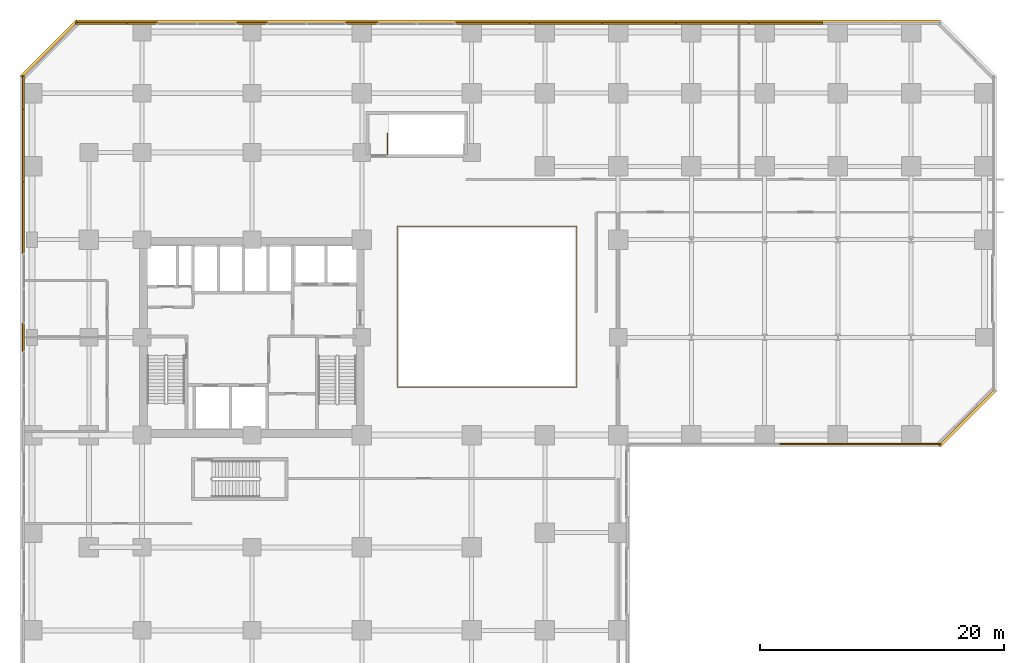
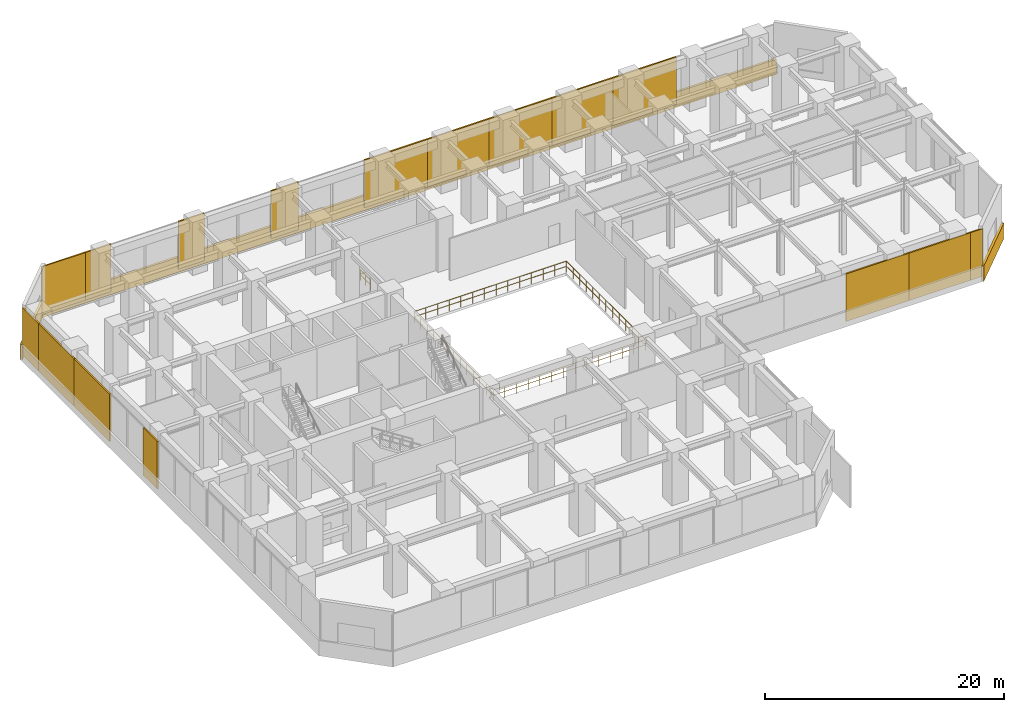
# One storey, part 32 of 33: 19 coverings, 2 railings.
"""IFC4 building model written with IfcOpenShell, lengths in metres."""

import ifcopenshell
import ifcopenshell.guid

model = None  # the IFC model being written
_history = None  # IfcOwnerHistory: only IFC2X3 demands one
_inside = {}  # id of a spatial element -> (the spatial element, [elements in it])
_under = {}  # id of a project, library or spatial element -> (it, [spatial elements below it])
_declared = {}  # id of a project -> (the project, [libraries it declares])
_typed = {}  # id of a type object -> (the type object, [elements of that type])
_made_of = {}  # id of a material, layer set ... -> (it, [elements and type objects made of it])


def new_model(schema):
    """Start an empty IFC model of exactly this schema.

    Asked for "IFC4X3", IfcOpenShell would pick the latest addendum, in which some entities
    have other attributes; the version numbers below select the first issue.
    IFC2X3 requires an IfcOwnerHistory on every rooted entity: one is made here for all.
    """
    global model, _history
    if schema == "IFC4X3":
        model = ifcopenshell.file(schema_version=(4, 3, 0, 0))
    else:
        model = ifcopenshell.file(schema=schema)
    _inside.clear()
    _under.clear()
    _declared.clear()
    _typed.clear()
    _made_of.clear()
    _history = None
    if model.schema == "IFC2X3":
        org = make("IfcOrganization", Name="unknown")
        user = make(
            "IfcPersonAndOrganization",
            ThePerson=make("IfcPerson", FamilyName="unknown"),
            TheOrganization=org,
        )
        app = make(
            "IfcApplication",
            ApplicationDeveloper=org,
            Version="unknown",
            ApplicationFullName="unknown",
            ApplicationIdentifier="unknown",
        )
        _history = make(
            "IfcOwnerHistory",
            OwningUser=user,
            OwningApplication=app,
            ChangeAction="ADDED",
            CreationDate=0,
        )
    return model


def make(cls, **values):
    """One entity of the class cls with the attributes given. An attribute that is None is left unset."""
    return model.create_entity(
        cls, **{name: value for name, value in values.items() if value is not None}
    )


def rooted(cls, **values):
    """An entity with a GlobalId (a new one), such as an element, a storey or a relation."""
    return make(cls, GlobalId=ifcopenshell.guid.new(), OwnerHistory=_history, **values)


def si_unit(unit_type, name, prefix=None):
    """IfcSIUnit, for example si_unit("LENGTHUNIT", "METRE", prefix="MILLI")."""
    return make("IfcSIUnit", UnitType=unit_type, Prefix=prefix, Name=name)


def assignment(units):
    """IfcUnitAssignment: the units of a project."""
    return None if units is None else make("IfcUnitAssignment", Units=units)


def point(xyz):
    """IfcCartesianPoint."""
    return None if xyz is None else make("IfcCartesianPoint", Coordinates=xyz)


def direction(xyz):
    """IfcDirection."""
    return None if xyz is None else make("IfcDirection", DirectionRatios=xyz)


def frame(location, z_axis=None, x_axis=None):
    """IfcAxis2Placement3D, a coordinate frame: its origin and axes. An axis left out is left unset."""
    return make(
        "IfcAxis2Placement3D",
        Location=point(location),
        Axis=direction(z_axis),
        RefDirection=direction(x_axis),
    )


def frame_2d(location, x_axis=None):
    """IfcAxis2Placement2D, a coordinate frame in the plane: its origin and x axis."""
    return make(
        "IfcAxis2Placement2D", Location=point(location), RefDirection=direction(x_axis)
    )


def origin():
    """The frame at (0, 0, 0) with its axes left unset."""
    return frame((0.0, 0.0, 0.0))


def origin_2d():
    """The frame at (0, 0) in the plane with its x axis left unset."""
    return frame_2d((0.0, 0.0))


def place(relative_to, where):
    """IfcLocalPlacement: puts the frame where relative to a parent placement (None: the world)."""
    return make(
        "IfcLocalPlacement", PlacementRelTo=relative_to, RelativePlacement=where
    )


def context(
    kind, dimensions, precision=None, world=None, true_north=None, identifier=None
):
    """IfcGeometricRepresentationContext, for example the 3D "Model" context."""
    return make(
        "IfcGeometricRepresentationContext",
        ContextIdentifier=identifier,
        ContextType=kind,
        CoordinateSpaceDimension=dimensions,
        Precision=precision,
        WorldCoordinateSystem=world,
        TrueNorth=true_north,
    )


def subcontext(parent, identifier, kind, view, scale=None):
    """IfcGeometricRepresentationSubContext, for example "Body" below "Model"."""
    return make(
        "IfcGeometricRepresentationSubContext",
        ContextIdentifier=identifier,
        ContextType=kind,
        ParentContext=parent,
        TargetScale=scale,
        TargetView=view,
    )


def project(units=None, contexts=None):
    """IfcProject with its units and contexts."""
    return rooted(
        "IfcProject",
        Name="project",
        RepresentationContexts=contexts,
        UnitsInContext=assignment(units),
    )


def spatial(cls, under=None, at=None, **own):
    """A site, building, storey or space (cls), placed at a placement, below another one or the project."""
    s = rooted(cls, ObjectPlacement=at, **own)
    if under is not None:
        _under.setdefault(under.id(), (under, []))[1].append(s)
    return s


def profile(cls, at=None, kind="AREA", **sizes):
    """A parametric profile (cls). Its sizes go by their IFC names, for example OverallWidth=200.0."""
    return make(cls, ProfileType=kind, Position=at, **sizes)


def rectangle(**sizes):
    """IfcRectangleProfileDef."""
    return profile("IfcRectangleProfileDef", **sizes)


def circle(**sizes):
    """IfcCircleProfileDef."""
    return profile("IfcCircleProfileDef", **sizes)


def extrude(swept, where, along, depth):
    """IfcExtrudedAreaSolid: the profile swept, set in the frame where, extruded along a direction by depth."""
    return make(
        "IfcExtrudedAreaSolid",
        SweptArea=swept,
        Position=where,
        ExtrudedDirection=direction(along),
        Depth=depth,
    )


def shape(context_of_items, identifier, shape_type, items):
    """IfcShapeRepresentation: the items that make up one representation, for example the "Body"."""
    return make(
        "IfcShapeRepresentation",
        ContextOfItems=context_of_items,
        RepresentationIdentifier=identifier,
        RepresentationType=shape_type,
        Items=items,
    )


def source(mapping_origin, context_of_items, identifier, shape_type, items):
    """IfcRepresentationMap: a shape defined once, which mapped items show again and again."""
    return make(
        "IfcRepresentationMap",
        MappingOrigin=mapping_origin,
        MappedRepresentation=shape(context_of_items, identifier, shape_type, items),
    )


def transform(
    local_origin,
    x_axis=None,
    y_axis=None,
    z_axis=None,
    scale=None,
    scale2=None,
    scale3=None,
    uniform=True,
):
    """IfcCartesianTransformationOperator3D, or its non-uniform kind. x_axis, y_axis, z_axis: its Axis1, 2, 3."""
    if uniform:
        return make(
            "IfcCartesianTransformationOperator3D",
            Axis1=direction(x_axis),
            Axis2=direction(y_axis),
            LocalOrigin=point(local_origin),
            Scale=scale,
            Axis3=direction(z_axis),
        )
    return make(
        "IfcCartesianTransformationOperator3DnonUniform",
        Axis1=direction(x_axis),
        Axis2=direction(y_axis),
        LocalOrigin=point(local_origin),
        Scale=scale,
        Axis3=direction(z_axis),
        Scale2=scale2,
        Scale3=scale3,
    )


def mapped(mapping_source, mapping_target):
    """IfcMappedItem: shows the shape of a source again, moved by a transform."""
    return make(
        "IfcMappedItem", MappingSource=mapping_source, MappingTarget=mapping_target
    )


def material(Name=None, Category=None):
    """IfcMaterial."""
    return make("IfcMaterial", Name=Name, Category=Category)


def layer(
    of_material, thickness, ventilated=None, Name=None, Category=None, Priority=None
):
    """IfcMaterialLayer: one layer of a wall or slab, of a material (None: an air gap)."""
    return make(
        "IfcMaterialLayer",
        Material=of_material,
        LayerThickness=thickness,
        IsVentilated=ventilated,
        Name=Name,
        Category=Category,
        Priority=Priority,
    )


def layer_set(layers, Name=None):
    """IfcMaterialLayerSet."""
    return make("IfcMaterialLayerSet", MaterialLayers=layers, LayerSetName=Name)


def made_of(thing, what):
    """Note that an element or type object is made of a material, layer set ...; save() writes the relation."""
    if what is not None:
        _made_of.setdefault(what.id(), (what, []))[1].append(thing)
    return thing


def type_object(cls, material=None, **own):
    """A type object (cls), such as IfcWallType, which elements share."""
    return made_of(rooted(cls, **own), material)


def element(
    cls,
    number,
    at=None,
    inside=None,
    cuts=None,
    type_object=None,
    material=None,
    context=None,
    identifier="Body",
    shape_type=None,
    held_by="IfcProductDefinitionShape",
    body=None,
    shapes=None,
    **own,
):
    """One element of the class cls, such as IfcWall. Its Tag is "e" and its number.

    at: its placement. inside: the storey or other place that contains it. cuts: it is an
    opening in that element (IfcRelVoidsElement). A single representation is given by context,
    identifier, shape_type and body (its items); several are given by shapes. held_by: the class
    of the entity that holds the representations. save() writes the other relations.
    """
    e = rooted(cls, Tag="e%d" % number, ObjectPlacement=at, **own)
    if body is not None:
        shapes = [shape(context, identifier, shape_type, body)]
    if shapes is not None:
        e.Representation = make(held_by, Representations=shapes)
    if inside is not None:
        _inside.setdefault(inside.id(), (inside, []))[1].append(e)
    if cuts is not None:
        rooted(
            "IfcRelVoidsElement", RelatingBuildingElement=cuts, RelatedOpeningElement=e
        )
    if type_object is not None:
        _typed.setdefault(type_object.id(), (type_object, []))[1].append(e)
    return made_of(e, material)


def aggregate(whole, parts):
    """IfcRelAggregates: a whole, such as a stair, and the parts it consists of."""
    return rooted("IfcRelAggregates", RelatingObject=whole, RelatedObjects=parts)


def save(model, path):
    """Write the relations noted so far, then the file.

    IfcRelAggregates (storeys below a building ...), IfcRelContainedInSpatialStructure (elements
    in a storey), IfcRelDefinesByType, IfcRelAssociatesMaterial and IfcRelDeclares: one each for
    every whole, place, type object, material and project.
    """
    for whole, parts in _under.values():
        aggregate(whole, parts)
    for where, things in _inside.values():
        rooted(
            "IfcRelContainedInSpatialStructure",
            RelatedElements=things,
            RelatingStructure=where,
        )
    for kind, things in _typed.values():
        rooted("IfcRelDefinesByType", RelatedObjects=things, RelatingType=kind)
    for what, things in _made_of.values():
        rooted("IfcRelAssociatesMaterial", RelatedObjects=things, RelatingMaterial=what)
    for by, libraries in _declared.values():
        rooted("IfcRelDeclares", RelatingContext=by, RelatedDefinitions=libraries)
    model.write(path)


model = new_model("IFC4")

# Units and contexts
model_context = context("Model", 3, precision=1e-05, world=origin(), true_north=direction((0.0, 1.0)))
body_context = subcontext(model_context, "Body", "Model", "MODEL_VIEW")
ifc_project = project(units=[si_unit("LENGTHUNIT", "METRE"), si_unit("AREAUNIT", "SQUARE_METRE"), si_unit("VOLUMEUNIT", "CUBIC_METRE"), si_unit("PLANEANGLEUNIT", "RADIAN"), si_unit("MASSUNIT", "GRAM", prefix="KILO")], contexts=[model_context])

# Site, building, storey
site_placement = place(None, origin())
site = spatial("IfcSite", under=ifc_project, at=site_placement, CompositionType="ELEMENT")
building_placement = place(site_placement, origin())
building = spatial("IfcBuilding", under=site, at=building_placement, Name="Torre Montelarca", CompositionType="ELEMENT")
storey_placement = place(building_placement, frame((0.0, 0.0, 12.0)))
storey = spatial("IfcBuildingStorey", under=building, at=storey_placement, Name="L03", CompositionType="ELEMENT", Elevation=12.0)

# Railings
ifc_material_1 = material(Name="Powder-coated steel ASTM A500 Grade C", Category="steel")
railing_type_1 = type_object("IfcRailingType", Name="RL-GUARD-1100", PredefinedType="BALUSTRADE", material=ifc_material_1)
railing_1_placement = place(storey_placement, frame((29.10009765625, 47.0, 0.0)))
element("IfcRailing", 1, at=railing_1_placement, inside=storey, type_object=railing_type_1, Name="L03 ST4 top well guard 1", PredefinedType="BALUSTRADE", context=body_context, shape_type="SweptSolid", body=[
    extrude(circle(Radius=0.02392578125, at=origin_2d()), frame((0.0, 0.0, 1.076171875), z_axis=(0.0, 1.0, 0.0), x_axis=(-1.0, 0.0, 0.0)), (0.0, 0.0, 1.0), 1.699951171875),
    extrude(circle(Radius=0.02099609375, at=origin_2d()), frame((0.0, 0.0, 0.572021484375), z_axis=(0.0, 1.0, 0.0), x_axis=(-1.0, 0.0, 0.0)), (0.0, 0.0, 1.0), 1.699951171875),
    extrude(circle(Radius=0.02099609375, at=origin_2d()), origin(), (0.0, 0.0, 1.0), 1.052001953125),
    extrude(circle(Radius=0.02099609375, at=origin_2d()), frame((0.0, 0.85009765625, 0.0)), (0.0, 0.0, 1.0), 1.052001953125),
    extrude(circle(Radius=0.02099609375, at=origin_2d()), frame((0.0, 1.699951171875, 0.0)), (0.0, 0.0, 1.0), 1.052001953125),
])
ifc_material_2 = material(Name="Stainless steel AISI 316 and laminated glass", Category="steel")
railing_type_2 = type_object("IfcRailingType", Name="RL-INT-GUARD-1150", PredefinedType="BALUSTRADE", material=ifc_material_2)
railing_2_placement = place(storey_placement, frame((29.89990234375, 27.89990234375, 0.0)))
element("IfcRailing", 2, at=railing_2_placement, inside=storey, type_object=railing_type_2, Name="L03 Exchange Trading Hall Atrium Balustrade Guard", PredefinedType="BALUSTRADE", context=body_context, shape_type="SweptSolid", body=[
    extrude(circle(Radius=0.02392578125, at=origin_2d()), frame((0.0, 0.0, 1.1259765625), z_axis=(1.0, 0.0, 0.0), x_axis=(0.0, 1.0, 0.0)), (0.0, 0.0, 1.0), 14.7001953125),
    extrude(circle(Radius=0.02099609375, at=origin_2d()), frame((0.0, 0.0, 0.597900390625), z_axis=(1.0, 0.0, 0.0), x_axis=(0.0, 1.0, 0.0)), (0.0, 0.0, 1.0), 14.7001953125),
    extrude(circle(Radius=0.02392578125, at=origin_2d()), frame((14.7001953125, 0.0, 1.1259765625), z_axis=(0.0, 1.0, 0.0), x_axis=(-1.0, 0.0, 0.0)), (0.0, 0.0, 1.0), 13.2001953125),
    extrude(circle(Radius=0.02099609375, at=origin_2d()), frame((14.7001953125, 0.0, 0.597900390625), z_axis=(0.0, 1.0, 0.0), x_axis=(-1.0, 0.0, 0.0)), (0.0, 0.0, 1.0), 13.2001953125),
    extrude(circle(Radius=0.02392578125, at=origin_2d()), frame((14.7001953125, 13.2001953125, 1.1259765625), z_axis=(-1.0, 0.0, 0.0), x_axis=(0.0, -1.0, 0.0)), (0.0, 0.0, 1.0), 14.7001953125),
    extrude(circle(Radius=0.02099609375, at=origin_2d()), frame((14.7001953125, 13.2001953125, 0.597900390625), z_axis=(-1.0, 0.0, 0.0), x_axis=(0.0, -1.0, 0.0)), (0.0, 0.0, 1.0), 14.7001953125),
    extrude(circle(Radius=0.02392578125, at=origin_2d()), frame((0.0, 13.2001953125, 1.1259765625), z_axis=(0.0, -1.0, 0.0), x_axis=(1.0, 0.0, 0.0)), (0.0, 0.0, 1.0), 13.2001953125),
    extrude(circle(Radius=0.02099609375, at=origin_2d()), frame((0.0, 13.2001953125, 0.597900390625), z_axis=(0.0, -1.0, 0.0), x_axis=(1.0, 0.0, 0.0)), (0.0, 0.0, 1.0), 13.2001953125),
    extrude(circle(Radius=0.02099609375, at=origin_2d()), origin(), (0.0, 0.0, 1.0), 1.101806640625),
    extrude(circle(Radius=0.02099609375, at=origin_2d()), frame((1.130859375, 0.0, 0.0)), (0.0, 0.0, 1.0), 1.101806640625),
    extrude(circle(Radius=0.02099609375, at=origin_2d()), frame((2.261474609375, 0.0, 0.0)), (0.0, 0.0, 1.0), 1.101806640625),
    extrude(circle(Radius=0.02099609375, at=origin_2d()), frame((3.392333984375, 0.0, 0.0)), (0.0, 0.0, 1.0), 1.101806640625),
    extrude(circle(Radius=0.02099609375, at=origin_2d()), frame((4.523193359375, 0.0, 0.0)), (0.0, 0.0, 1.0), 1.101806640625),
    extrude(circle(Radius=0.02099609375, at=origin_2d()), frame((5.65380859375, 0.0, 0.0)), (0.0, 0.0, 1.0), 1.101806640625),
    extrude(circle(Radius=0.02099609375, at=origin_2d()), frame((6.78466796875, 0.0, 0.0)), (0.0, 0.0, 1.0), 1.101806640625),
    extrude(circle(Radius=0.02099609375, at=origin_2d()), frame((7.91552734375, 0.0, 0.0)), (0.0, 0.0, 1.0), 1.101806640625),
    extrude(circle(Radius=0.02099609375, at=origin_2d()), frame((9.04638671875, 0.0, 0.0)), (0.0, 0.0, 1.0), 1.101806640625),
    extrude(circle(Radius=0.02099609375, at=origin_2d()), frame((10.177001953125, 0.0, 0.0)), (0.0, 0.0, 1.0), 1.101806640625),
    extrude(circle(Radius=0.02099609375, at=origin_2d()), frame((11.307861328125, 0.0, 0.0)), (0.0, 0.0, 1.0), 1.101806640625),
    extrude(circle(Radius=0.02099609375, at=origin_2d()), frame((12.438720703125, 0.0, 0.0)), (0.0, 0.0, 1.0), 1.101806640625),
    extrude(circle(Radius=0.02099609375, at=origin_2d()), frame((13.5693359375, 0.0, 0.0)), (0.0, 0.0, 1.0), 1.101806640625),
    extrude(circle(Radius=0.02099609375, at=origin_2d()), frame((14.7001953125, 0.0, 0.0)), (0.0, 0.0, 1.0), 1.101806640625),
    extrude(circle(Radius=0.02099609375, at=origin_2d()), frame((14.7001953125, 1.10009765625, 0.0)), (0.0, 0.0, 1.0), 1.101806640625),
    extrude(circle(Radius=0.02099609375, at=origin_2d()), frame((14.7001953125, 2.199951171875, 0.0)), (0.0, 0.0, 1.0), 1.101806640625),
    extrude(circle(Radius=0.02099609375, at=origin_2d()), frame((14.7001953125, 3.300048828125, 0.0)), (0.0, 0.0, 1.0), 1.101806640625),
    extrude(circle(Radius=0.02099609375, at=origin_2d()), frame((14.7001953125, 4.400146484375, 0.0)), (0.0, 0.0, 1.0), 1.101806640625),
    extrude(circle(Radius=0.02099609375, at=origin_2d()), frame((14.7001953125, 5.5, 0.0)), (0.0, 0.0, 1.0), 1.101806640625),
    extrude(circle(Radius=0.02099609375, at=origin_2d()), frame((14.7001953125, 6.60009765625, 0.0)), (0.0, 0.0, 1.0), 1.101806640625),
    extrude(circle(Radius=0.02099609375, at=origin_2d()), frame((14.7001953125, 7.7001953125, 0.0)), (0.0, 0.0, 1.0), 1.101806640625),
    extrude(circle(Radius=0.02099609375, at=origin_2d()), frame((14.7001953125, 8.800048828125, 0.0)), (0.0, 0.0, 1.0), 1.101806640625),
    extrude(circle(Radius=0.02099609375, at=origin_2d()), frame((14.7001953125, 9.900146484375, 0.0)), (0.0, 0.0, 1.0), 1.101806640625),
    extrude(circle(Radius=0.02099609375, at=origin_2d()), frame((14.7001953125, 11.000244140625, 0.0)), (0.0, 0.0, 1.0), 1.101806640625),
    extrude(circle(Radius=0.02099609375, at=origin_2d()), frame((14.7001953125, 12.10009765625, 0.0)), (0.0, 0.0, 1.0), 1.101806640625),
    extrude(circle(Radius=0.02099609375, at=origin_2d()), frame((14.7001953125, 13.2001953125, 0.0)), (0.0, 0.0, 1.0), 1.101806640625),
    extrude(circle(Radius=0.02099609375, at=origin_2d()), frame((13.5693359375, 13.2001953125, 0.0)), (0.0, 0.0, 1.0), 1.101806640625),
    extrude(circle(Radius=0.02099609375, at=origin_2d()), frame((12.438720703125, 13.2001953125, 0.0)), (0.0, 0.0, 1.0), 1.101806640625),
    extrude(circle(Radius=0.02099609375, at=origin_2d()), frame((11.307861328125, 13.2001953125, 0.0)), (0.0, 0.0, 1.0), 1.101806640625),
    extrude(circle(Radius=0.02099609375, at=origin_2d()), frame((10.177001953125, 13.2001953125, 0.0)), (0.0, 0.0, 1.0), 1.101806640625),
    extrude(circle(Radius=0.02099609375, at=origin_2d()), frame((9.04638671875, 13.2001953125, 0.0)), (0.0, 0.0, 1.0), 1.101806640625),
    extrude(circle(Radius=0.02099609375, at=origin_2d()), frame((7.91552734375, 13.2001953125, 0.0)), (0.0, 0.0, 1.0), 1.101806640625),
    extrude(circle(Radius=0.02099609375, at=origin_2d()), frame((6.78466796875, 13.2001953125, 0.0)), (0.0, 0.0, 1.0), 1.101806640625),
    extrude(circle(Radius=0.02099609375, at=origin_2d()), frame((5.65380859375, 13.2001953125, 0.0)), (0.0, 0.0, 1.0), 1.101806640625),
    extrude(circle(Radius=0.02099609375, at=origin_2d()), frame((4.523193359375, 13.2001953125, 0.0)), (0.0, 0.0, 1.0), 1.101806640625),
    extrude(circle(Radius=0.02099609375, at=origin_2d()), frame((3.392333984375, 13.2001953125, 0.0)), (0.0, 0.0, 1.0), 1.101806640625),
    extrude(circle(Radius=0.02099609375, at=origin_2d()), frame((2.261474609375, 13.2001953125, 0.0)), (0.0, 0.0, 1.0), 1.101806640625),
    extrude(circle(Radius=0.02099609375, at=origin_2d()), frame((1.130859375, 13.2001953125, 0.0)), (0.0, 0.0, 1.0), 1.101806640625),
    extrude(circle(Radius=0.02099609375, at=origin_2d()), frame((0.0, 13.2001953125, 0.0)), (0.0, 0.0, 1.0), 1.101806640625),
    extrude(circle(Radius=0.02099609375, at=origin_2d()), frame((0.0, 12.10009765625, 0.0)), (0.0, 0.0, 1.0), 1.101806640625),
    extrude(circle(Radius=0.02099609375, at=origin_2d()), frame((0.0, 11.000244140625, 0.0)), (0.0, 0.0, 1.0), 1.101806640625),
    extrude(circle(Radius=0.02099609375, at=origin_2d()), frame((0.0, 9.900146484375, 0.0)), (0.0, 0.0, 1.0), 1.101806640625),
    extrude(circle(Radius=0.02099609375, at=origin_2d()), frame((0.0, 8.800048828125, 0.0)), (0.0, 0.0, 1.0), 1.101806640625),
    extrude(circle(Radius=0.02099609375, at=origin_2d()), frame((0.0, 7.7001953125, 0.0)), (0.0, 0.0, 1.0), 1.101806640625),
    extrude(circle(Radius=0.02099609375, at=origin_2d()), frame((0.0, 6.60009765625, 0.0)), (0.0, 0.0, 1.0), 1.101806640625),
    extrude(circle(Radius=0.02099609375, at=origin_2d()), frame((0.0, 5.5, 0.0)), (0.0, 0.0, 1.0), 1.101806640625),
    extrude(circle(Radius=0.02099609375, at=origin_2d()), frame((0.0, 4.400146484375, 0.0)), (0.0, 0.0, 1.0), 1.101806640625),
    extrude(circle(Radius=0.02099609375, at=origin_2d()), frame((0.0, 3.300048828125, 0.0)), (0.0, 0.0, 1.0), 1.101806640625),
    extrude(circle(Radius=0.02099609375, at=origin_2d()), frame((0.0, 2.199951171875, 0.0)), (0.0, 0.0, 1.0), 1.101806640625),
    extrude(circle(Radius=0.02099609375, at=origin_2d()), frame((0.0, 1.10009765625, 0.0)), (0.0, 0.0, 1.0), 1.101806640625),
])

# Coverings
ifc_material_3 = material(Name="Bush-hammered warm white precast concrete C45/55", Category="concrete")
ifc_layer = layer(ifc_material_3, 0.139892578125, Name="Bush-hammered warm white precast concrete C45/55", Category="concrete")
ifc_layer_set = layer_set([ifc_layer], Name="Bush-hammered warm white precast concrete C45/55")
covering_type = type_object("IfcCoveringType", Name="COV-TRAY-CLAD", PredefinedType="CLADDING", material=ifc_layer_set)
shared_shape_1 = source(origin(), body_context, "Body", "SweptSolid", [
    extrude(rectangle(XDim=6.48388671875, YDim=0.219970703125, at=origin_2d()), origin(), (0.0, 0.0, 1.0), 1.56005859375),
])
for number, where, z_axis, x_axis, name in (
    (3, (76.62890625, 25.37109375, -0.400146484375), (0.0, 0.0, 1.0), (0.707106781187, 0.707106781187, 0.0), "L03 Architectural White Spandrel Tray Band PODBOT-05"),
    (4, (1.37109375, 55.62890625, -0.400146484375), (0.0, 0.0, 1.0), (-0.707106781187, -0.707106781187, 0.0), "L03 Architectural White Spandrel Tray Band PODBOT-09"),
):
    element("IfcCovering", number, at=place(storey_placement, frame(where, z_axis=z_axis, x_axis=x_axis)), inside=storey, type_object=covering_type, Name=name, PredefinedType="CLADDING", context=body_context, shape_type="MappedRepresentation", body=[
        mapped(shared_shape_1, transform((0.0, 0.0, 0.0), scale=1.0)),
    ])
shared_shape_2 = source(origin(), body_context, "Body", "SweptSolid", [
    extrude(rectangle(XDim=70.919921875, YDim=0.219970703125, at=origin_2d()), origin(), (0.0, 0.0, 1.0), 1.56005859375),
])
covering_1_placement = place(storey_placement, frame((39.0, 57.8701171875, -0.400146484375), z_axis=(0.0, 0.0, 1.0), x_axis=(-1.0, 0.0, 0.0)))
element("IfcCovering", 5, at=covering_1_placement, inside=storey, type_object=covering_type, Name="L03 Architectural White Spandrel Tray Band PODBOT-08", PredefinedType="CLADDING", context=body_context, shape_type="MappedRepresentation", body=[
    mapped(shared_shape_2, transform((0.0, 0.0, 0.0), scale=1.0)),
])
shared_shape_3 = source(origin(), body_context, "Body", "SweptSolid", [
    extrude(rectangle(XDim=2.489990234375, YDim=0.139892578125, at=origin_2d()), origin(), (0.0, 0.0, 1.0), 4.85009765625),
])
for number, where, z_axis, x_axis, name in (
    (6, (18.0, 57.739990234375, 0.0), (0.0, 0.0, 1.0), (-1.0, 0.0, 0.0), "L03 Architectural Column Pier Cladding E08-10"),
    (7, (9.0, 57.739990234375, 0.0), (0.0, 0.0, 1.0), (-1.0, 0.0, 0.0), "L03 Architectural Column Pier Cladding E08-11"),
):
    element("IfcCovering", number, at=place(storey_placement, frame(where, z_axis=z_axis, x_axis=x_axis)), inside=storey, type_object=covering_type, Name=name, PredefinedType="CLADDING", context=body_context, shape_type="MappedRepresentation", body=[
        mapped(shared_shape_3, transform((0.0, 0.0, 0.0), scale=1.0)),
    ])
shared_shape_4 = source(origin(), body_context, "Body", "SweptSolid", [
    extrude(rectangle(XDim=2.639892578125, YDim=0.139892578125, at=origin_2d()), origin(), (0.0, 0.0, 1.0), 4.85009765625),
])
covering_2_placement = place(storey_placement, frame((27.0, 57.739990234375, 0.0), z_axis=(0.0, 0.0, 1.0), x_axis=(-1.0, 0.0, 0.0)))
element("IfcCovering", 8, at=covering_2_placement, inside=storey, type_object=covering_type, Name="L03 Architectural Column Pier Cladding E08-9", PredefinedType="CLADDING", context=body_context, shape_type="MappedRepresentation", body=[
    mapped(shared_shape_4, transform((0.0, 0.0, 0.0), scale=1.0)),
])
shared_shape_5 = source(origin(), body_context, "Body", "SweptSolid", [
    extrude(rectangle(XDim=6.080078125, YDim=0.139892578125, at=origin_2d()), origin(), (0.0, 0.0, 1.0), 4.85009765625),
])
for number, where, z_axis, x_axis, name in (
    (9, (64.280029296875, 23.260009765625, 0.0), (0.0, 0.0, 1.0), (1.0, 0.0, 0.0), "L03 Architectural Column Pier Cladding E04-4"),
    (10, (70.280029296875, 23.260009765625, 0.0), (0.0, 0.0, 1.0), (1.0, 0.0, 0.0), "L03 Architectural Column Pier Cladding E04-5"),
    (11, (61.719970703125, 57.739990234375, 0.0), (0.0, 0.0, 1.0), (-1.0, 0.0, 0.0), "L03 Architectural Column Pier Cladding E08-4"),
    (12, (55.719970703125, 57.739990234375, 0.0), (0.0, 0.0, 1.0), (-1.0, 0.0, 0.0), "L03 Architectural Column Pier Cladding E08-5"),
    (13, (49.719970703125, 57.739990234375, 0.0), (0.0, 0.0, 1.0), (-1.0, 0.0, 0.0), "L03 Architectural Column Pier Cladding E08-6"),
    (14, (43.719970703125, 57.739990234375, 0.0), (0.0, 0.0, 1.0), (-1.0, 0.0, 0.0), "L03 Architectural Column Pier Cladding E08-7"),
    (15, (37.719970703125, 57.739990234375, 0.0), (0.0, 0.0, 1.0), (-1.0, 0.0, 0.0), "L03 Architectural Column Pier Cladding E08-8"),
    (16, (-0.739990234375, 47.719970703125, 0.0), (0.0, 0.0, 1.0), (0.0, -1.0, 0.0), "L03 Architectural Column Pier Cladding E10-2"),
):
    element("IfcCovering", number, at=place(storey_placement, frame(where, z_axis=z_axis, x_axis=x_axis)), inside=storey, type_object=covering_type, Name=name, PredefinedType="CLADDING", context=body_context, shape_type="MappedRepresentation", body=[
        mapped(shared_shape_5, transform((0.0, 0.0, 0.0), scale=1.0)),
    ])
shared_shape_6 = source(origin(), body_context, "Body", "SweptSolid", [
    extrude(rectangle(XDim=1.199951171875, YDim=0.139892578125, at=origin_2d()), origin(), (0.0, 0.0, 1.0), 4.85009765625),
])
covering_3_placement = place(storey_placement, frame((73.840087890625, 23.260009765625, 0.0), z_axis=(0.0, 0.0, 1.0), x_axis=(1.0, 0.0, 0.0)))
element("IfcCovering", 17, at=covering_3_placement, inside=storey, type_object=covering_type, Name="L03 Architectural Column Pier Cladding E04-6", PredefinedType="CLADDING", context=body_context, shape_type="MappedRepresentation", body=[
    mapped(shared_shape_6, transform((0.0, 0.0, 0.0), scale=1.0)),
])
shared_shape_7 = source(origin(), body_context, "Body", "SweptSolid", [
    extrude(rectangle(XDim=4.27490234375, YDim=0.139892578125, at=origin_2d()), origin(), (0.0, 0.0, 1.0), 4.85009765625),
])
covering_4_placement = place(storey_placement, frame((5.697509765625, 57.739990234375, 0.0), z_axis=(0.0, 0.0, 1.0), x_axis=(-1.0, 0.0, 0.0)))
element("IfcCovering", 18, at=covering_4_placement, inside=storey, type_object=covering_type, Name="L03 Architectural Column Pier Cladding E08-12", PredefinedType="CLADDING", context=body_context, shape_type="MappedRepresentation", body=[
    mapped(shared_shape_7, transform((0.0, 0.0, 0.0), scale=1.0)),
])
shared_shape_8 = source(origin(), body_context, "Body", "SweptSolid", [
    extrude(rectangle(XDim=2.760009765625, YDim=0.139892578125, at=origin_2d()), origin(), (0.0, 0.0, 1.0), 4.85009765625),
])
covering_5_placement = place(storey_placement, frame((-0.739990234375, 52.06005859375, 0.0), z_axis=(0.0, 0.0, 1.0), x_axis=(0.0, -1.0, 0.0)))
element("IfcCovering", 19, at=covering_5_placement, inside=storey, type_object=covering_type, Name="L03 Architectural Column Pier Cladding E10-1", PredefinedType="CLADDING", context=body_context, shape_type="MappedRepresentation", body=[
    mapped(shared_shape_8, transform((0.0, 0.0, 0.0), scale=1.0)),
])
shared_shape_9 = source(origin(), body_context, "Body", "SweptSolid", [
    extrude(rectangle(XDim=5.929931640625, YDim=0.139892578125, at=origin_2d()), origin(), (0.0, 0.0, 1.0), 4.85009765625),
])
covering_6_placement = place(storey_placement, frame((-0.739990234375, 41.794921875, 0.0), z_axis=(0.0, 0.0, 1.0), x_axis=(0.0, -1.0, 0.0)))
element("IfcCovering", 20, at=covering_6_placement, inside=storey, type_object=covering_type, Name="L03 Architectural Column Pier Cladding E10-3", PredefinedType="CLADDING", context=body_context, shape_type="MappedRepresentation", body=[
    mapped(shared_shape_9, transform((0.0, 0.0, 0.0), scale=1.0)),
])
shared_shape_10 = source(origin(), body_context, "Body", "SweptSolid", [
    extrude(rectangle(XDim=2.340087890625, YDim=0.139892578125, at=origin_2d()), origin(), (0.0, 0.0, 1.0), 4.85009765625),
])
covering_7_placement = place(storey_placement, frame((-0.739990234375, 32.0, 0.0), z_axis=(0.0, 0.0, 1.0), x_axis=(0.0, -1.0, 0.0)))
element("IfcCovering", 21, at=covering_7_placement, inside=storey, type_object=covering_type, Name="L03 Architectural Column Pier Cladding E10-4", PredefinedType="CLADDING", context=body_context, shape_type="MappedRepresentation", body=[
    mapped(shared_shape_10, transform((0.0, 0.0, 0.0), scale=1.0)),
])

save(model, "model.ifc")
